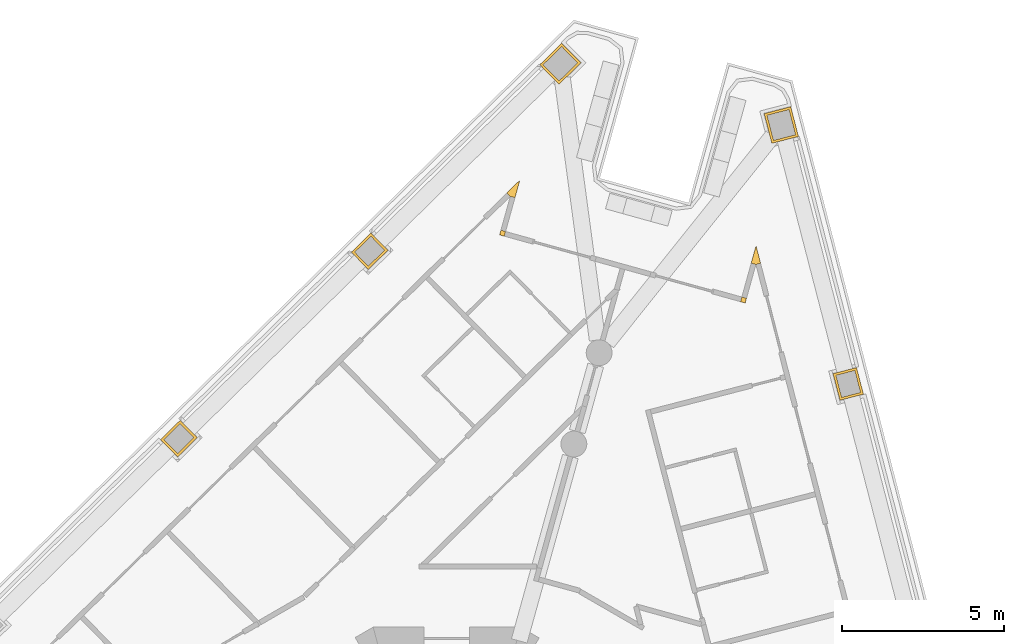
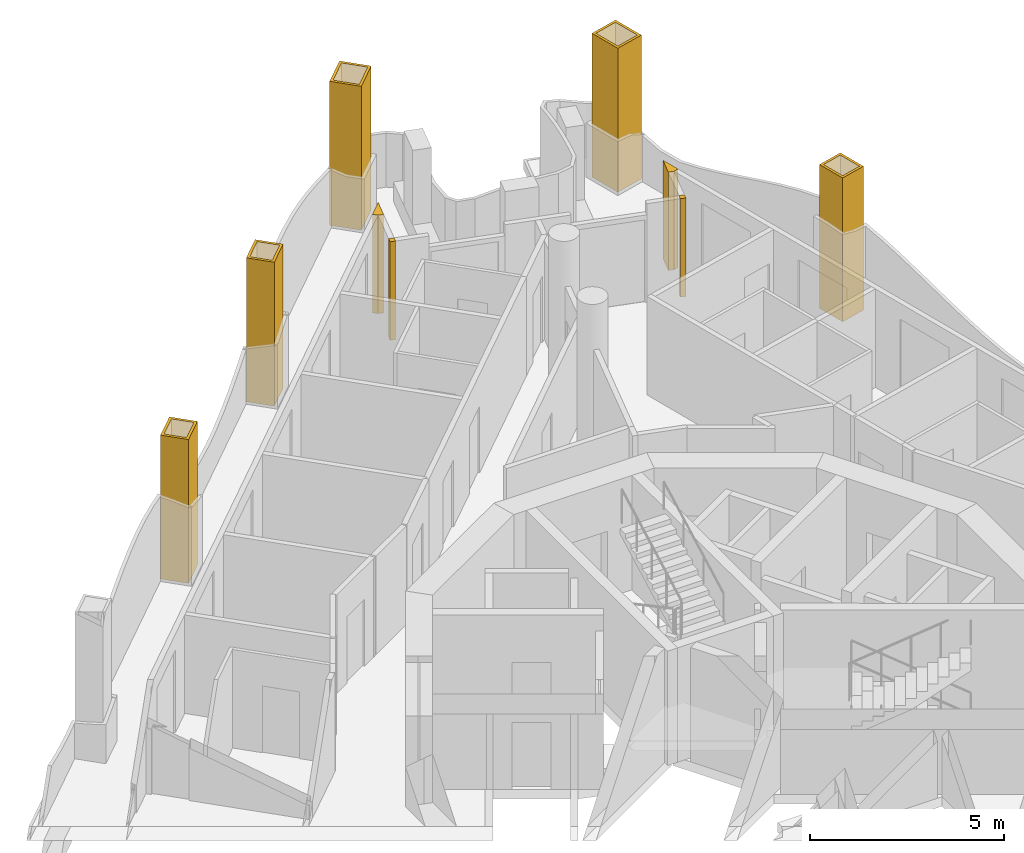
# One storey, part 14 of 15: 9 coverings.
"""IFC4 building model written with IfcOpenShell, lengths in metres."""

from ifc_helpers import new_model, si_unit, direction, frame, origin, place, context, subcontext, project, spatial, polyline, outline, extrude, material, layer, layer_set, type_object, element, save


model = new_model("IFC4")

# Units and contexts
model_context = context("Model", 3, precision=1e-05, world=origin(), true_north=direction((0.0, 1.0)))
body_context = subcontext(model_context, "Body", "Model", "MODEL_VIEW")
ifc_project = project(units=[si_unit("LENGTHUNIT", "METRE"), si_unit("AREAUNIT", "SQUARE_METRE"), si_unit("VOLUMEUNIT", "CUBIC_METRE"), si_unit("PLANEANGLEUNIT", "RADIAN"), si_unit("MASSUNIT", "GRAM", prefix="KILO")], contexts=[model_context])

# Site, building, storey
site_placement = place(None, origin())
site = spatial("IfcSite", under=ifc_project, at=site_placement, CompositionType="ELEMENT")
building_placement = place(site_placement, origin())
building = spatial("IfcBuilding", under=site, at=building_placement, Name="Trine Commons Tower", CompositionType="ELEMENT")
storey_placement = place(building_placement, frame((0.0, 0.0, 263.699951171875)))
storey = spatial("IfcBuildingStorey", under=building, at=storey_placement, Name="L69", CompositionType="ELEMENT", Elevation=263.699951171875)

# Coverings
ifc_material_1 = material(Name="Aluminium-framed insulated wall panel", Category="aluminium")
ifc_layer_1 = layer(ifc_material_1, 0.14990234375)
ifc_layer_set_1 = layer_set([ifc_layer_1], Name="Aluminium-framed insulated wall panel")
covering_type_1 = type_object("IfcCoveringType", Name="Glazing corner post, aluminium", PredefinedType="CLADDING", material=ifc_layer_set_1)
covering_1_placement = place(storey_placement, origin())
element("IfcCovering", 1, at=covering_1_placement, inside=storey, type_object=covering_type_1, Name="Glazing corner post 7-02", PredefinedType="CLADDING", context=body_context, shape_type="SweptSolid", body=[
    extrude(outline(polyline([(82.107177734375, 84.280029296875), (82.256591796875, 84.819580078125), (81.857421875, 84.42724609375), (81.962646484375, 84.3203125), (82.107177734375, 84.280029296875)])), origin(), (0.0, 0.0, 1.0), 3.10009765625),
])
covering_2_placement = place(storey_placement, origin())
element("IfcCovering", 2, at=covering_2_placement, inside=storey, type_object=covering_type_1, Name="Glazing corner post 7-03", PredefinedType="CLADDING", context=body_context, shape_type="SweptSolid", body=[
    extrude(outline(polyline([(81.77685546875, 83.08935546875), (81.81689453125, 83.23388671875), (81.67236328125, 83.27392578125), (81.63232421875, 83.12939453125), (81.77685546875, 83.08935546875)])), origin(), (0.0, 0.0, 1.0), 3.10009765625),
])
covering_3_placement = place(storey_placement, origin())
element("IfcCovering", 3, at=covering_3_placement, inside=storey, type_object=covering_type_1, Name="Glazing corner post 7-04", PredefinedType="CLADDING", context=body_context, shape_type="SweptSolid", body=[
    extrude(outline(polyline([(89.081298828125, 81.063720703125), (89.225830078125, 81.023681640625), (89.265869140625, 81.168212890625), (89.121337890625, 81.208251953125), (89.081298828125, 81.063720703125)])), origin(), (0.0, 0.0, 1.0), 3.10009765625),
])
covering_4_placement = place(storey_placement, origin())
element("IfcCovering", 4, at=covering_4_placement, inside=storey, type_object=covering_type_1, Name="Glazing corner post 7-05", PredefinedType="CLADDING", context=body_context, shape_type="SweptSolid", body=[
    extrude(outline(polyline([(89.411376953125, 82.25439453125), (89.555908203125, 82.21435546875), (89.701171875, 82.251953125), (89.56103515625, 82.7939453125), (89.411376953125, 82.25439453125)])), origin(), (0.0, 0.0, 1.0), 3.10009765625),
])
ifc_material_2 = material(Name="Limestone, honed", Category="masonry")
ifc_layer_2 = layer(ifc_material_2, 0.074951171875)
ifc_layer_set_2 = layer_set([ifc_layer_2], Name="Limestone, honed")
covering_type_2 = type_object("IfcCoveringType", Name="Limestone column cladding 75", PredefinedType="CLADDING", material=ifc_layer_set_2)
covering_5_placement = place(storey_placement, origin())
element("IfcCovering", 5, at=covering_5_placement, inside=storey, type_object=covering_type_2, Name="Limestone pier cladding 7-10", PredefinedType="CLADDING", context=body_context, shape_type="SweptSolid", body=[
    extrude(outline(polyline([(72.281005859375, 76.860107421875), (71.755126953125, 77.39501953125), (71.14892578125, 76.79931640625), (71.674560546875, 76.26416015625), (72.281005859375, 76.860107421875)]), holes=[polyline([(72.1748046875, 76.86083984375), (71.75439453125, 77.288818359375), (71.2548828125, 76.79833984375), (71.675537109375, 76.370361328125), (72.1748046875, 76.86083984375)])]), origin(), (0.0, 0.0, 1.0), 4.527099609375),
])
covering_6_placement = place(storey_placement, origin())
element("IfcCovering", 6, at=covering_6_placement, inside=storey, type_object=covering_type_2, Name="Limestone pier cladding 7-11", PredefinedType="CLADDING", context=body_context, shape_type="SweptSolid", body=[
    extrude(outline(polyline([(78.178466796875, 82.655517578125), (77.65283203125, 83.190673828125), (77.04638671875, 82.5947265625), (77.572265625, 82.059814453125), (78.178466796875, 82.655517578125)]), holes=[polyline([(78.072509765625, 82.656494140625), (77.65185546875, 83.08447265625), (77.152587890625, 82.593994140625), (77.572998046875, 82.166015625), (78.072509765625, 82.656494140625)])]), origin(), (0.0, 0.0, 1.0), 4.527099609375),
])
covering_7_placement = place(storey_placement, origin())
element("IfcCovering", 7, at=covering_7_placement, inside=storey, type_object=covering_type_2, Name="Limestone pier cladding 7-12", PredefinedType="CLADDING", context=body_context, shape_type="SweptSolid", body=[
    extrude(outline(polyline([(84.14697265625, 88.45068359375), (83.551025390625, 89.056884765625), (82.87353515625, 88.39111328125), (83.46923828125, 87.78466796875), (84.14697265625, 88.45068359375)]), holes=[polyline([(84.040771484375, 88.451416015625), (83.55029296875, 88.95068359375), (82.9794921875, 88.39013671875), (83.47021484375, 87.890869140625), (84.040771484375, 88.451416015625)])]), origin(), (0.0, 0.0, 1.0), 4.527099609375),
])
covering_8_placement = place(storey_placement, origin())
element("IfcCovering", 8, at=covering_8_placement, inside=storey, type_object=covering_type_2, Name="Limestone pier cladding 7-13", PredefinedType="CLADDING", context=body_context, shape_type="SweptSolid", body=[
    extrude(outline(polyline([(90.6337890625, 87.0927734375), (89.81103515625, 86.8798828125), (90.048828125, 85.960205078125), (90.871826171875, 86.1728515625), (90.6337890625, 87.0927734375)]), holes=[polyline([(90.580078125, 87.001220703125), (89.90234375, 86.825927734375), (90.102783203125, 86.051513671875), (90.780517578125, 86.226806640625), (90.580078125, 87.001220703125)])]), origin(), (0.0, 0.0, 1.0), 4.527099609375),
])
covering_9_placement = place(storey_placement, origin())
element("IfcCovering", 9, at=covering_9_placement, inside=storey, type_object=covering_type_2, Name="Limestone pier cladding 7-14", PredefinedType="CLADDING", context=body_context, shape_type="SweptSolid", body=[
    extrude(outline(polyline([(92.668212890625, 79.0263671875), (91.942138671875, 78.838623046875), (92.155029296875, 78.015625), (92.881103515625, 78.203369140625), (92.668212890625, 79.0263671875)]), holes=[polyline([(92.614501953125, 78.93505859375), (92.03369140625, 78.78466796875), (92.208984375, 78.10693359375), (92.789794921875, 78.25732421875), (92.614501953125, 78.93505859375)])]), origin(), (0.0, 0.0, 1.0), 4.527099609375),
])

save(model, "model.ifc")
